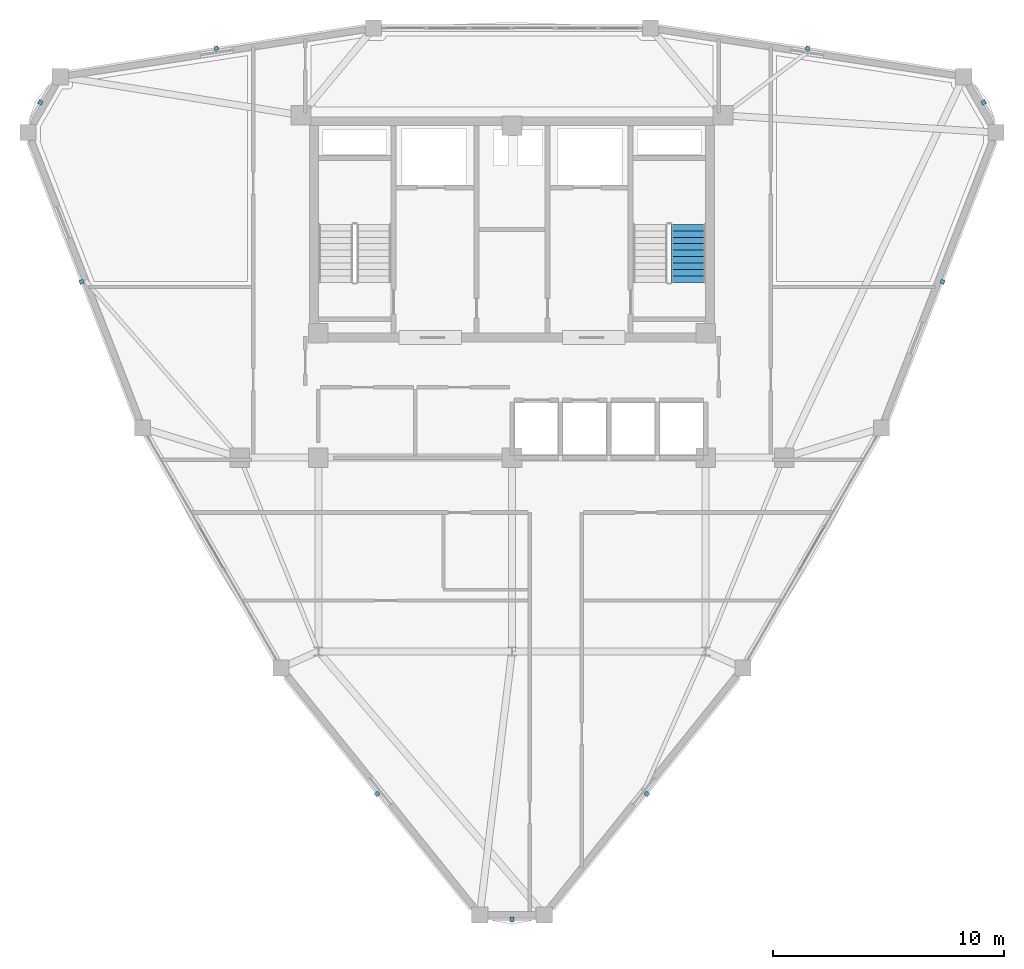
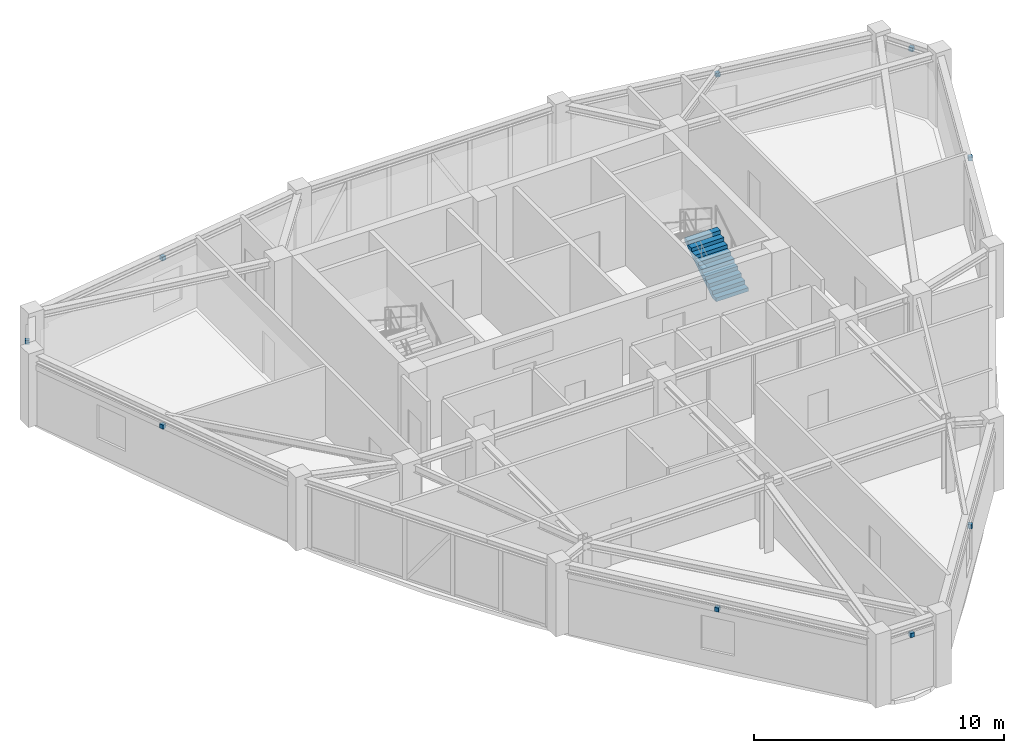
# One storey, part 13 of 15: 9 discrete accessories, 1 stair flight, 1 element without a shape of its own.
"""IFC4 building model written with IfcOpenShell, lengths in metres."""

from ifc_helpers import new_model, si_unit, derived_unit, direction, frame, origin, origin_2d, place, context, subcontext, project, spatial, polyline, rectangle, outline, extrude, source, transform, mapped, material, type_object, element, aggregate, save


model = new_model("IFC4")

# Units and contexts
model_context = context("Model", 3, precision=1e-05, world=origin(), true_north=direction((0.0, 1.0)))
body_context = subcontext(model_context, "Body", "Model", "MODEL_VIEW")
ifc_project = project(units=[si_unit("LENGTHUNIT", "METRE"), si_unit("AREAUNIT", "SQUARE_METRE"), si_unit("VOLUMEUNIT", "CUBIC_METRE"), si_unit("PLANEANGLEUNIT", "RADIAN"), si_unit("MASSUNIT", "GRAM", prefix="KILO"), derived_unit("THERMALTRANSMITTANCEUNIT", [(si_unit("POWERUNIT", "WATT"), 1), (si_unit("LENGTHUNIT", "METRE"), -2), (si_unit("THERMODYNAMICTEMPERATUREUNIT", "KELVIN"), -1)])], contexts=[model_context])

# Site, building, storey
site_placement = place(None, origin())
site = spatial("IfcSite", under=ifc_project, at=site_placement, CompositionType="ELEMENT")
building_placement = place(site_placement, origin())
building = spatial("IfcBuilding", under=site, at=building_placement, Name="Korsvarv Bourse and Concert Hall", CompositionType="ELEMENT")
storey_placement = place(building_placement, frame((0.0, 0.0, 246.60009765625)))
storey = spatial("IfcBuildingStorey", under=building, at=storey_placement, Name="L64", CompositionType="ELEMENT", Elevation=246.60009765625)

# Stair, stair flight
ifc_material_1 = material(Name="Precast concrete C45/55", Category="concrete")
stair_type = type_object("IfcStairType", Name="STR-TYPE-04", PredefinedType="HALF_TURN_STAIR", material=ifc_material_1)
stair_placement = place(storey_placement, origin())
stair = element("IfcStair", 1, at=stair_placement, inside=storey, type_object=stair_type, Name="L64 Tower East Exit Stair ST-T2", PredefinedType="HALF_TURN_STAIR")
stair_flight_type = type_object("IfcStairFlightType", Name="FLT-TYPE-04", PredefinedType="STRAIGHT", material=ifc_material_1)
stair_flight_placement = place(storey_placement, frame((43.64990234375, 40.0, 0.0), z_axis=(0.0, 0.0, 1.0), x_axis=(0.0, 1.0, 0.0)))
stair_flight = element("IfcStairFlight", 2, at=stair_flight_placement, type_object=stair_flight_type, Name="ST-T2 flight 1", NumberOfRisers=10, NumberOfTreads=9, PredefinedType="STRAIGHT", RiserHeight=0.18, TreadLength=0.28, context=body_context, shape_type="SweptSolid", body=[
    extrude(outline(polyline([(0.0, 0.0), (0.0, 0.179931640625), (0.280029296875, 0.179931640625), (0.280029296875, 0.360107421875), (0.56005859375, 0.360107421875), (0.56005859375, 0.5400390625), (0.840087890625, 0.5400390625), (0.840087890625, 0.719970703125), (1.1201171875, 0.719970703125), (1.1201171875, 0.89990234375), (1.39990234375, 0.89990234375), (1.39990234375, 1.080078125), (1.679931640625, 1.080078125), (1.679931640625, 1.260009765625), (1.9599609375, 1.260009765625), (1.9599609375, 1.43994140625), (2.239990234375, 1.43994140625), (2.239990234375, 1.6201171875), (2.52001953125, 1.6201171875), (2.52001953125, 1.800048828125), (2.52001953125, 1.44189453125), (0.277099609375, 0.0), (0.0, 0.0)])), frame((0.0, 0.75, 0.0), z_axis=(0.0, -1.0, 0.0), x_axis=(1.0, 0.0, 0.0)), (0.0, 0.0, 1.0), 1.5),
])
aggregate(stair, [stair_flight])

# Discrete accessories
ifc_material_2 = material(Name="Stainless Steel S355 facade outrigger bracket", Category="steel")
discrete_accessory_type = type_object("IfcDiscreteAccessoryType", Name="ACC-BRK-1", PredefinedType="BRACKET", material=ifc_material_2)
shared_shape = source(origin(), body_context, "Body", "SweptSolid", [
    extrude(rectangle(XDim=0.179931640625, YDim=0.179931640625, at=origin_2d()), origin(), (0.0, 0.0, 1.0), 0.199951171875),
])
for number, where, z_axis, x_axis, name in (
    (3, (56.45361328125, 47.808837890625, 2.81982421875), (0.0, 0.0, 1.0), (-0.5, 0.866025403784, 0.0), "L64 terracotta sunshade bracket EW-L64-B01"),
    (4, (48.824951171875, 50.15625, 2.81982421875), (0.0, 0.0, 1.0), (-0.98817491911, 0.153330783737, 0.0), "L64 terracotta sunshade bracket EW-L64-B02"),
    (5, (23.175048828125, 50.15625, 2.81982421875), (0.0, 0.0, 1.0), (-0.98817491911, -0.153330783737, 0.0), "L64 terracotta sunshade bracket EW-L64-B04"),
    (6, (15.54638671875, 47.808837890625, 2.81982421875), (0.0, 0.0, 1.0), (-0.5, -0.866025403784, 0.0), "L64 terracotta sunshade bracket EW-L64-B05"),
    (7, (17.327880859375, 40.028564453125, 2.7900390625), (0.0, 0.0, 1.0), (0.361299105657, -0.932449975201, 0.0), "L64 terracotta sunshade bracket EW-L64-B06"),
    (8, (30.15283203125, 17.815185546875, 2.81982421875), (0.0, 0.0, 1.0), (0.626875813454, -0.779119191464, 0.0), "L64 terracotta sunshade bracket EW-L64-B08"),
    (9, (36.0, 12.382080078125, 2.81982421875), (0.0, 0.0, 1.0), (1.0, 0.0, 0.0), "L64 terracotta sunshade bracket EW-L64-B09"),
    (10, (41.84716796875, 17.815185546875, 2.7900390625), (0.0, 0.0, 1.0), (0.626875813454, 0.779119191464, 0.0), "L64 terracotta sunshade bracket EW-L64-B10"),
    (11, (54.672119140625, 40.028564453125, 2.81982421875), (0.0, 0.0, 1.0), (0.361299105657, 0.932449975201, 0.0), "L64 terracotta sunshade bracket EW-L64-B12"),
):
    element("IfcDiscreteAccessory", number, at=place(storey_placement, frame(where, z_axis=z_axis, x_axis=x_axis)), inside=storey, type_object=discrete_accessory_type, Name=name, PredefinedType="BRACKET", context=body_context, shape_type="MappedRepresentation", body=[
        mapped(shared_shape, transform((0.0, 0.0, 0.0), scale=1.0)),
    ])

save(model, "model.ifc")
